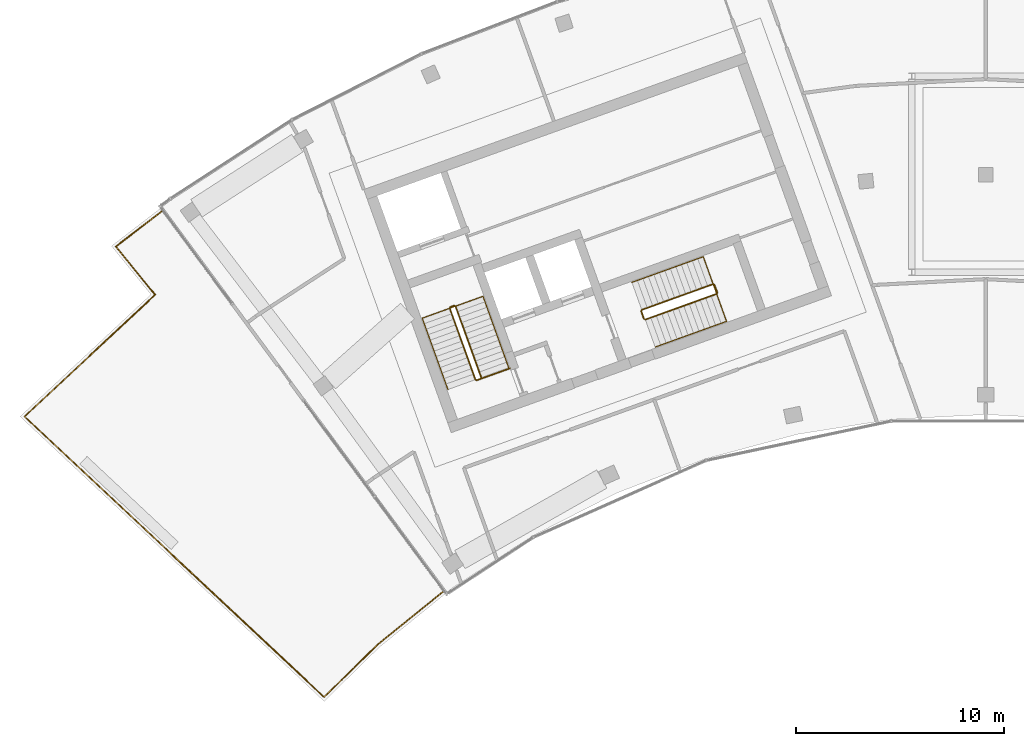
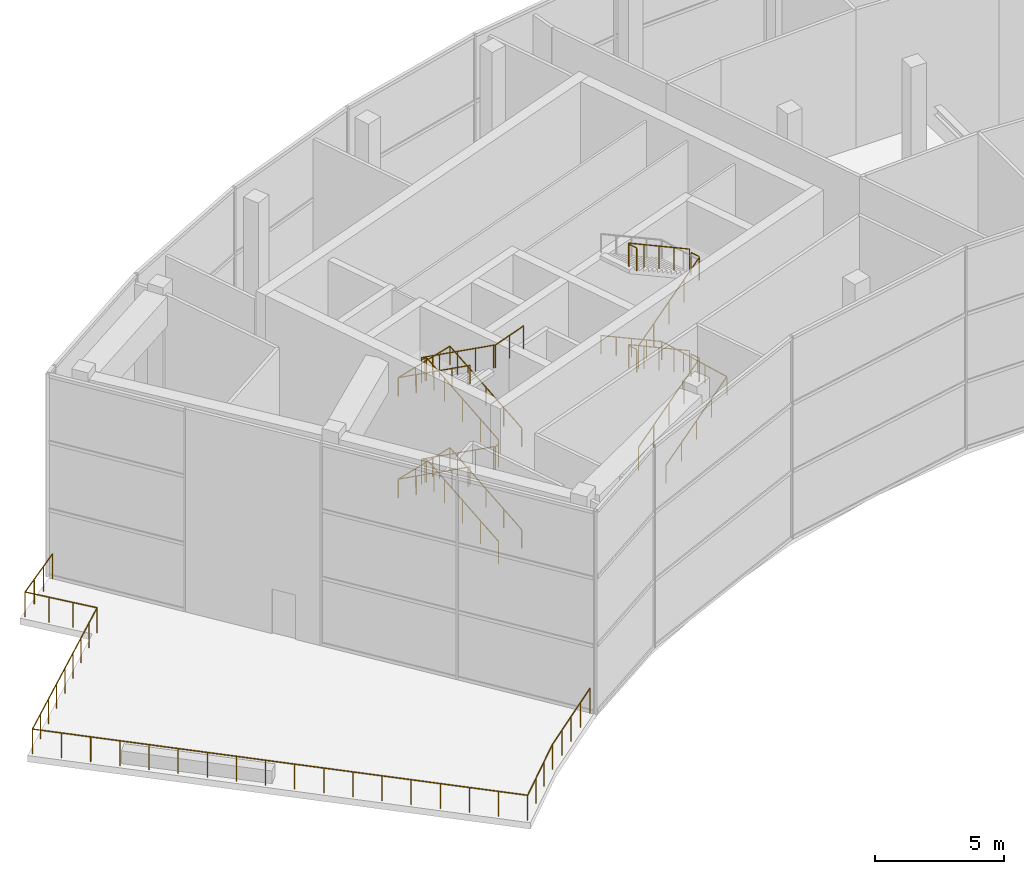
# One storey, part 18 of 20: 12 railings.
"""IFC4 building model written with IfcOpenShell, lengths in metres."""

from ifc_helpers import new_model, si_unit, direction, frame, origin, origin_2d, place, context, subcontext, project, spatial, circle, extrude, material, type_object, element, save


model = new_model("IFC4")

# Units and contexts
model_context = context("Model", 3, precision=1e-05, world=origin(), true_north=direction((0.0, 1.0)))
body_context = subcontext(model_context, "Body", "Model", "MODEL_VIEW")
ifc_project = project(units=[si_unit("LENGTHUNIT", "METRE"), si_unit("AREAUNIT", "SQUARE_METRE"), si_unit("VOLUMEUNIT", "CUBIC_METRE"), si_unit("PLANEANGLEUNIT", "RADIAN"), si_unit("MASSUNIT", "GRAM", prefix="KILO")], contexts=[model_context])

# Site, building, storey
site_placement = place(None, origin())
site = spatial("IfcSite", under=ifc_project, at=site_placement, CompositionType="ELEMENT")
building_placement = place(site_placement, origin())
building = spatial("IfcBuilding", under=site, at=building_placement, Name="Stone Belt Terrace Tower", CompositionType="ELEMENT")
storey_placement = place(building_placement, frame((0.0, 0.0, 323.0)))
storey = spatial("IfcBuildingStorey", under=building, at=storey_placement, Name="L78", CompositionType="ELEMENT", Elevation=323.0)

# Railings
ifc_material_1 = material(Name="Structural steel C345", Category="steel")
railing_type_1 = type_object("IfcRailingType", Name="Stair guard 1100", PredefinedType="GUARDRAIL", material=ifc_material_1)
railing_1_placement = place(storey_placement, frame((-24.2119140625, 45.276123046875, 0.17138671875)))
element("IfcRailing", 1, at=railing_1_placement, inside=storey, type_object=railing_type_1, Name="L78 ST1A stair guard 1", PredefinedType="GUARDRAIL", context=body_context, shape_type="SweptSolid", body=[
    extrude(circle(Radius=0.02392578125, at=origin_2d()), frame((0.0, 0.0, 1.076171875), z_axis=(-0.288822101159, 0.802455225799, 0.522156494233), x_axis=(-0.940910495972, -0.338655338905, 0.0)), (0.0, 0.0, 1.0), 4.267822265625),
    extrude(circle(Radius=0.02392578125, at=origin_2d()), frame((-1.232666015625, 3.4248046875, 3.3046875), z_axis=(-0.903878284585, 0.427789722475, 0.0), x_axis=(-0.427789722475, -0.903878284585, 0.0)), (0.0, 0.0, 1.0), 0.07080078125),
    extrude(circle(Radius=0.02392578125, at=origin_2d()), frame((-1.296630859375, 3.455078125, 3.3046875), z_axis=(-0.940716197853, -0.339194686126, 0.0), x_axis=(0.339194686126, -0.940716197853, 0.0)), (0.0, 0.0, 1.0), 0.2001953125),
    extrude(circle(Radius=0.02099609375, at=origin_2d()), origin(), (0.0, 0.0, 1.0), 1.052001953125),
    extrude(circle(Radius=0.02099609375, at=origin_2d()), frame((-0.30810546875, 0.856201171875, 0.55712890625)), (0.0, 0.0, 1.0), 1.052001953125),
    extrude(circle(Radius=0.02099609375, at=origin_2d()), frame((-0.6162109375, 1.71240234375, 1.1142578125)), (0.0, 0.0, 1.0), 1.052001953125),
    extrude(circle(Radius=0.02099609375, at=origin_2d()), frame((-0.924560546875, 2.568603515625, 1.67138671875)), (0.0, 0.0, 1.0), 1.052001953125),
    extrude(circle(Radius=0.02099609375, at=origin_2d()), frame((-1.232666015625, 3.4248046875, 2.228515625)), (0.0, 0.0, 1.0), 1.052001953125),
    extrude(circle(Radius=0.02099609375, at=origin_2d()), frame((-1.296630859375, 3.455078125, 2.228515625)), (0.0, 0.0, 1.0), 1.052001953125),
    extrude(circle(Radius=0.02099609375, at=origin_2d()), frame((-1.48486328125, 3.38720703125, 2.228515625)), (0.0, 0.0, 1.0), 1.052001953125),
])
railing_2_placement = place(storey_placement, frame((-25.726806640625, 48.599365234375, 2.571533203125)))
element("IfcRailing", 2, at=railing_2_placement, inside=storey, type_object=railing_type_1, Name="L78 ST1A stair guard 2", PredefinedType="GUARDRAIL", context=body_context, shape_type="SweptSolid", body=[
    extrude(circle(Radius=0.02392578125, at=origin_2d()), frame((0.0, 0.0, 1.076171875), z_axis=(0.288822101159, -0.802455225799, 0.522156494233), x_axis=(0.940910495972, 0.338655338905, 0.0)), (0.0, 0.0, 1.0), 4.267822265625),
    extrude(circle(Radius=0.02392578125, at=origin_2d()), frame((1.232666015625, -3.4248046875, 3.3046875), z_axis=(0.903878284585, -0.427789722475, 0.0), x_axis=(0.427789722475, 0.903878284585, 0.0)), (0.0, 0.0, 1.0), 0.07080078125),
    extrude(circle(Radius=0.02392578125, at=origin_2d()), frame((1.296630859375, -3.455078125, 3.3046875), z_axis=(0.940575576748, 0.339584429008, 0.0), x_axis=(-0.339584429008, 0.940575576748, 0.0)), (0.0, 0.0, 1.0), 0.199951171875),
    extrude(circle(Radius=0.02099609375, at=origin_2d()), origin(), (0.0, 0.0, 1.0), 1.052001953125),
    extrude(circle(Radius=0.02099609375, at=origin_2d()), frame((0.30810546875, -0.856201171875, 0.55712890625)), (0.0, 0.0, 1.0), 1.052001953125),
    extrude(circle(Radius=0.02099609375, at=origin_2d()), frame((0.6162109375, -1.71240234375, 1.1142578125)), (0.0, 0.0, 1.0), 1.052001953125),
    extrude(circle(Radius=0.02099609375, at=origin_2d()), frame((0.924560546875, -2.568603515625, 1.67138671875)), (0.0, 0.0, 1.0), 1.052001953125),
    extrude(circle(Radius=0.02099609375, at=origin_2d()), frame((1.232666015625, -3.4248046875, 2.228515625)), (0.0, 0.0, 1.0), 1.052001953125),
    extrude(circle(Radius=0.02099609375, at=origin_2d()), frame((1.296630859375, -3.455078125, 2.228515625)), (0.0, 0.0, 1.0), 1.052001953125),
    extrude(circle(Radius=0.02099609375, at=origin_2d()), frame((1.484619140625, -3.38720703125, 2.228515625)), (0.0, 0.0, 1.0), 1.052001953125),
])
railing_3_placement = place(storey_placement, frame((-24.2119140625, 45.276123046875, 4.971435546875)))
element("IfcRailing", 3, at=railing_3_placement, inside=storey, type_object=railing_type_1, Name="L78 ST1A stair guard 3", PredefinedType="GUARDRAIL", context=body_context, shape_type="SweptSolid", body=[
    extrude(circle(Radius=0.02392578125, at=origin_2d()), frame((0.0, 0.0, 1.076171875), z_axis=(-0.288822101159, 0.802455225799, 0.522156494233), x_axis=(-0.940910495972, -0.338655338905, 0.0)), (0.0, 0.0, 1.0), 4.267822265625),
    extrude(circle(Radius=0.02392578125, at=origin_2d()), frame((-1.232666015625, 3.4248046875, 3.3046875), z_axis=(-0.903878284585, 0.427789722475, 0.0), x_axis=(-0.427789722475, -0.903878284585, 0.0)), (0.0, 0.0, 1.0), 0.07080078125),
    extrude(circle(Radius=0.02392578125, at=origin_2d()), frame((-1.296630859375, 3.455078125, 3.3046875), z_axis=(-0.940716197853, -0.339194686126, 0.0), x_axis=(0.339194686126, -0.940716197853, 0.0)), (0.0, 0.0, 1.0), 0.2001953125),
    extrude(circle(Radius=0.02099609375, at=origin_2d()), origin(), (0.0, 0.0, 1.0), 1.052001953125),
    extrude(circle(Radius=0.02099609375, at=origin_2d()), frame((-0.30810546875, 0.856201171875, 0.55712890625)), (0.0, 0.0, 1.0), 1.052001953125),
    extrude(circle(Radius=0.02099609375, at=origin_2d()), frame((-0.6162109375, 1.71240234375, 1.1142578125)), (0.0, 0.0, 1.0), 1.052001953125),
    extrude(circle(Radius=0.02099609375, at=origin_2d()), frame((-0.924560546875, 2.568603515625, 1.67138671875)), (0.0, 0.0, 1.0), 1.052001953125),
    extrude(circle(Radius=0.02099609375, at=origin_2d()), frame((-1.232666015625, 3.4248046875, 2.228515625)), (0.0, 0.0, 1.0), 1.052001953125),
    extrude(circle(Radius=0.02099609375, at=origin_2d()), frame((-1.296630859375, 3.455078125, 2.228515625)), (0.0, 0.0, 1.0), 1.052001953125),
    extrude(circle(Radius=0.02099609375, at=origin_2d()), frame((-1.48486328125, 3.38720703125, 2.228515625)), (0.0, 0.0, 1.0), 1.052001953125),
])
railing_4_placement = place(storey_placement, frame((-25.726806640625, 48.599365234375, 7.371337890625)))
element("IfcRailing", 4, at=railing_4_placement, inside=storey, type_object=railing_type_1, Name="L78 ST1A stair guard 4", PredefinedType="GUARDRAIL", context=body_context, shape_type="SweptSolid", body=[
    extrude(circle(Radius=0.02392578125, at=origin_2d()), frame((0.0, 0.0, 1.076171875), z_axis=(0.288813474145, -0.802431256746, 0.522198099718), x_axis=(0.940910495972, 0.338655338905, 0.0)), (0.0, 0.0, 1.0), 4.26806640625),
    extrude(circle(Radius=0.02392578125, at=origin_2d()), frame((1.232666015625, -3.4248046875, 3.3046875), z_axis=(0.903878284585, -0.427789722475, 0.0), x_axis=(0.427789722475, 0.903878284585, 0.0)), (0.0, 0.0, 1.0), 0.07080078125),
    extrude(circle(Radius=0.02392578125, at=origin_2d()), frame((1.296630859375, -3.455078125, 3.3046875), z_axis=(0.940903889267, 0.338673694229, 0.0), x_axis=(-0.338673694229, 0.940903889267, 0.0)), (0.0, 0.0, 1.0), 1.69970703125),
    extrude(circle(Radius=0.02099609375, at=origin_2d()), origin(), (0.0, 0.0, 1.0), 1.052001953125),
    extrude(circle(Radius=0.02099609375, at=origin_2d()), frame((0.30810546875, -0.856201171875, 0.55712890625)), (0.0, 0.0, 1.0), 1.052001953125),
    extrude(circle(Radius=0.02099609375, at=origin_2d()), frame((0.6162109375, -1.71240234375, 1.1142578125)), (0.0, 0.0, 1.0), 1.052001953125),
    extrude(circle(Radius=0.02099609375, at=origin_2d()), frame((0.924560546875, -2.568603515625, 1.671630859375)), (0.0, 0.0, 1.0), 1.052001953125),
    extrude(circle(Radius=0.02099609375, at=origin_2d()), frame((1.232666015625, -3.4248046875, 2.228759765625)), (0.0, 0.0, 1.0), 1.052001953125),
    extrude(circle(Radius=0.02099609375, at=origin_2d()), frame((1.296630859375, -3.455078125, 2.228759765625)), (0.0, 0.0, 1.0), 1.052001953125),
    extrude(circle(Radius=0.02099609375, at=origin_2d()), frame((2.09619140625, -3.167236328125, 2.228759765625)), (0.0, 0.0, 1.0), 1.052001953125),
    extrude(circle(Radius=0.02099609375, at=origin_2d()), frame((2.89599609375, -2.87939453125, 2.228759765625)), (0.0, 0.0, 1.0), 1.052001953125),
])
railing_5_placement = place(storey_placement, frame((-16.33837890625, 48.056640625, 0.17138671875)))
element("IfcRailing", 5, at=railing_5_placement, inside=storey, type_object=railing_type_1, Name="L78 ST2A stair guard 1", PredefinedType="GUARDRAIL", context=body_context, shape_type="SweptSolid", body=[
    extrude(circle(Radius=0.02392578125, at=origin_2d()), frame((0.0, 0.0, 1.076171875), z_axis=(0.802488848793, 0.288756412339, 0.522141151314), x_axis=(-0.338574587021, 0.94093955652, 0.0)), (0.0, 0.0, 1.0), 4.26806640625),
    extrude(circle(Radius=0.02392578125, at=origin_2d()), frame((3.425048828125, 1.232421875, 3.3046875), z_axis=(0.424964916, 0.905209821074, 0.0), x_axis=(-0.905209821074, 0.424964916, 0.0)), (0.0, 0.0, 1.0), 0.070556640625),
    extrude(circle(Radius=0.02392578125, at=origin_2d()), frame((3.455078125, 1.29638671875, 3.3046875), z_axis=(-0.338654645739, 0.940910745459, 0.0), x_axis=(-0.940910745459, -0.338654645739, 0.0)), (0.0, 0.0, 1.0), 0.400146484375),
    extrude(circle(Radius=0.02099609375, at=origin_2d()), origin(), (0.0, 0.0, 1.0), 1.052001953125),
    extrude(circle(Radius=0.02099609375, at=origin_2d()), frame((0.856201171875, 0.30810546875, 0.55712890625)), (0.0, 0.0, 1.0), 1.052001953125),
    extrude(circle(Radius=0.02099609375, at=origin_2d()), frame((1.71240234375, 0.6162109375, 1.1142578125)), (0.0, 0.0, 1.0), 1.052001953125),
    extrude(circle(Radius=0.02099609375, at=origin_2d()), frame((2.56884765625, 0.92431640625, 1.67138671875)), (0.0, 0.0, 1.0), 1.052001953125),
    extrude(circle(Radius=0.02099609375, at=origin_2d()), frame((3.425048828125, 1.232421875, 2.228515625)), (0.0, 0.0, 1.0), 1.052001953125),
    extrude(circle(Radius=0.02099609375, at=origin_2d()), frame((3.455078125, 1.29638671875, 2.228515625)), (0.0, 0.0, 1.0), 1.052001953125),
    extrude(circle(Radius=0.02099609375, at=origin_2d()), frame((3.319580078125, 1.6728515625, 2.228515625)), (0.0, 0.0, 1.0), 1.052001953125),
])
railing_6_placement = place(storey_placement, frame((-13.082763671875, 49.759521484375, 2.571533203125)))
element("IfcRailing", 6, at=railing_6_placement, inside=storey, type_object=railing_type_1, Name="L78 ST2A stair guard 2", PredefinedType="GUARDRAIL", context=body_context, shape_type="SweptSolid", body=[
    extrude(circle(Radius=0.02392578125, at=origin_2d()), frame((0.0, 0.0, 1.076171875), z_axis=(-0.802468482762, -0.288769667877, 0.52216512052), x_axis=(0.338595955653, -0.940931867255, 0.0)), (0.0, 0.0, 1.0), 4.267822265625),
    extrude(circle(Radius=0.02392578125, at=origin_2d()), frame((-3.4248046875, -1.232421875, 3.3046875), z_axis=(-0.427789722475, -0.903878284585, 0.0), x_axis=(0.903878284585, -0.427789722475, 0.0)), (0.0, 0.0, 1.0), 0.07080078125),
    extrude(circle(Radius=0.02392578125, at=origin_2d()), frame((-3.455078125, -1.29638671875, 3.3046875), z_axis=(0.338654645739, -0.940910745459, 0.0), x_axis=(0.940910745459, 0.338654645739, 0.0)), (0.0, 0.0, 1.0), 0.400146484375),
    extrude(circle(Radius=0.02099609375, at=origin_2d()), origin(), (0.0, 0.0, 1.0), 1.052001953125),
    extrude(circle(Radius=0.02099609375, at=origin_2d()), frame((-0.856201171875, -0.30810546875, 0.55712890625)), (0.0, 0.0, 1.0), 1.052001953125),
    extrude(circle(Radius=0.02099609375, at=origin_2d()), frame((-1.71240234375, -0.6162109375, 1.1142578125)), (0.0, 0.0, 1.0), 1.052001953125),
    extrude(circle(Radius=0.02099609375, at=origin_2d()), frame((-2.568603515625, -0.92431640625, 1.67138671875)), (0.0, 0.0, 1.0), 1.052001953125),
    extrude(circle(Radius=0.02099609375, at=origin_2d()), frame((-3.4248046875, -1.232421875, 2.228515625)), (0.0, 0.0, 1.0), 1.052001953125),
    extrude(circle(Radius=0.02099609375, at=origin_2d()), frame((-3.455078125, -1.29638671875, 2.228515625)), (0.0, 0.0, 1.0), 1.052001953125),
    extrude(circle(Radius=0.02099609375, at=origin_2d()), frame((-3.319580078125, -1.6728515625, 2.228515625)), (0.0, 0.0, 1.0), 1.052001953125),
])
railing_7_placement = place(storey_placement, frame((-16.33837890625, 48.056640625, 4.971435546875)))
element("IfcRailing", 7, at=railing_7_placement, inside=storey, type_object=railing_type_1, Name="L78 ST2A stair guard 3", PredefinedType="GUARDRAIL", context=body_context, shape_type="SweptSolid", body=[
    extrude(circle(Radius=0.02392578125, at=origin_2d()), frame((0.0, 0.0, 1.076171875), z_axis=(0.802488848793, 0.288756412339, 0.522141151314), x_axis=(-0.338574587021, 0.94093955652, 0.0)), (0.0, 0.0, 1.0), 4.26806640625),
    extrude(circle(Radius=0.02392578125, at=origin_2d()), frame((3.425048828125, 1.232421875, 3.3046875), z_axis=(0.424964916, 0.905209821074, 0.0), x_axis=(-0.905209821074, 0.424964916, 0.0)), (0.0, 0.0, 1.0), 0.070556640625),
    extrude(circle(Radius=0.02392578125, at=origin_2d()), frame((3.455078125, 1.29638671875, 3.3046875), z_axis=(-0.338654645739, 0.940910745459, 0.0), x_axis=(-0.940910745459, -0.338654645739, 0.0)), (0.0, 0.0, 1.0), 0.400146484375),
    extrude(circle(Radius=0.02099609375, at=origin_2d()), origin(), (0.0, 0.0, 1.0), 1.052001953125),
    extrude(circle(Radius=0.02099609375, at=origin_2d()), frame((0.856201171875, 0.30810546875, 0.55712890625)), (0.0, 0.0, 1.0), 1.052001953125),
    extrude(circle(Radius=0.02099609375, at=origin_2d()), frame((1.71240234375, 0.6162109375, 1.1142578125)), (0.0, 0.0, 1.0), 1.052001953125),
    extrude(circle(Radius=0.02099609375, at=origin_2d()), frame((2.56884765625, 0.92431640625, 1.67138671875)), (0.0, 0.0, 1.0), 1.052001953125),
    extrude(circle(Radius=0.02099609375, at=origin_2d()), frame((3.425048828125, 1.232421875, 2.228515625)), (0.0, 0.0, 1.0), 1.052001953125),
    extrude(circle(Radius=0.02099609375, at=origin_2d()), frame((3.455078125, 1.29638671875, 2.228515625)), (0.0, 0.0, 1.0), 1.052001953125),
    extrude(circle(Radius=0.02099609375, at=origin_2d()), frame((3.319580078125, 1.6728515625, 2.228515625)), (0.0, 0.0, 1.0), 1.052001953125),
])
railing_8_placement = place(storey_placement, frame((-13.082763671875, 49.759521484375, 7.371337890625)))
element("IfcRailing", 8, at=railing_8_placement, inside=storey, type_object=railing_type_1, Name="L78 ST2A stair guard 4", PredefinedType="GUARDRAIL", context=body_context, shape_type="SweptSolid", body=[
    extrude(circle(Radius=0.02392578125, at=origin_2d()), frame((0.0, 0.0, 1.076171875), z_axis=(-0.802444512521, -0.288761042145, 0.522206726177), x_axis=(0.338595955653, -0.940931867255, 0.0)), (0.0, 0.0, 1.0), 4.26806640625),
    extrude(circle(Radius=0.02392578125, at=origin_2d()), frame((-3.4248046875, -1.232421875, 3.3046875), z_axis=(-0.427789722475, -0.903878284585, 0.0), x_axis=(0.903878284585, -0.427789722475, 0.0)), (0.0, 0.0, 1.0), 0.07080078125),
    extrude(circle(Radius=0.02392578125, at=origin_2d()), frame((-3.455078125, -1.29638671875, 3.3046875), z_axis=(0.338654645739, -0.940910745459, 0.0), x_axis=(0.940910745459, 0.338654645739, 0.0)), (0.0, 0.0, 1.0), 0.400146484375),
    extrude(circle(Radius=0.02099609375, at=origin_2d()), origin(), (0.0, 0.0, 1.0), 1.052001953125),
    extrude(circle(Radius=0.02099609375, at=origin_2d()), frame((-0.856201171875, -0.30810546875, 0.55712890625)), (0.0, 0.0, 1.0), 1.052001953125),
    extrude(circle(Radius=0.02099609375, at=origin_2d()), frame((-1.71240234375, -0.6162109375, 1.1142578125)), (0.0, 0.0, 1.0), 1.052001953125),
    extrude(circle(Radius=0.02099609375, at=origin_2d()), frame((-2.568603515625, -0.92431640625, 1.671630859375)), (0.0, 0.0, 1.0), 1.052001953125),
    extrude(circle(Radius=0.02099609375, at=origin_2d()), frame((-3.4248046875, -1.232421875, 2.228759765625)), (0.0, 0.0, 1.0), 1.052001953125),
    extrude(circle(Radius=0.02099609375, at=origin_2d()), frame((-3.455078125, -1.29638671875, 2.228759765625)), (0.0, 0.0, 1.0), 1.052001953125),
    extrude(circle(Radius=0.02099609375, at=origin_2d()), frame((-3.319580078125, -1.6728515625, 2.228759765625)), (0.0, 0.0, 1.0), 1.052001953125),
])
railing_type_2 = type_object("IfcRailingType", Name="Stair handrail 900", PredefinedType="HANDRAIL", material=ifc_material_1)
railing_9_placement = place(storey_placement, frame((-22.894775390625, 45.750244140625, 0.17138671875)))
element("IfcRailing", 9, at=railing_9_placement, inside=storey, type_object=railing_type_2, Name="L78 ST1A stair handrail 1", PredefinedType="HANDRAIL", context=body_context, shape_type="SweptSolid", body=[
    extrude(circle(Radius=0.02392578125, at=origin_2d()), frame((0.0, 0.0, 0.8759765625), z_axis=(-0.288769667877, 0.802468482762, 0.52216512052), x_axis=(-0.940931867255, -0.338595955653, 0.0)), (0.0, 0.0, 1.0), 4.267822265625),
    extrude(circle(Radius=0.02392578125, at=origin_2d()), frame((-1.232421875, 3.4248046875, 3.1044921875), z_axis=(-0.939480897333, -0.338112475605, 0.055277458221), x_axis=(0.338630230244, -0.940919532779, 0.0)), (0.0, 0.0, 1.0), 3.10498046875),
    extrude(circle(Radius=0.02392578125, at=origin_2d()), frame((-4.1494140625, 2.375, 3.27587890625), z_axis=(0.288822101159, -0.802455225799, 0.522156494233), x_axis=(0.940910495972, 0.338655338905, 0.0)), (0.0, 0.0, 1.0), 4.267822265625),
    extrude(circle(Radius=0.02099609375, at=origin_2d()), origin(), (0.0, 0.0, 1.0), 0.851806640625),
    extrude(circle(Radius=0.02099609375, at=origin_2d()), frame((-0.30810546875, 0.856201171875, 0.55712890625)), (0.0, 0.0, 1.0), 0.851806640625),
    extrude(circle(Radius=0.02099609375, at=origin_2d()), frame((-0.6162109375, 1.71240234375, 1.1142578125)), (0.0, 0.0, 1.0), 0.851806640625),
    extrude(circle(Radius=0.02099609375, at=origin_2d()), frame((-0.92431640625, 2.568603515625, 1.67138671875)), (0.0, 0.0, 1.0), 0.851806640625),
    extrude(circle(Radius=0.02099609375, at=origin_2d()), frame((-1.232421875, 3.4248046875, 2.228515625)), (0.0, 0.0, 1.0), 0.851806640625),
    extrude(circle(Radius=0.02099609375, at=origin_2d()), frame((-2.204833984375, 3.074951171875, 2.28564453125)), (0.0, 0.0, 1.0), 0.851806640625),
    extrude(circle(Radius=0.02099609375, at=origin_2d()), frame((-3.177001953125, 2.724853515625, 2.343017578125)), (0.0, 0.0, 1.0), 0.851806640625),
    extrude(circle(Radius=0.02099609375, at=origin_2d()), frame((-4.1494140625, 2.375, 2.400146484375)), (0.0, 0.0, 1.0), 0.851806640625),
    extrude(circle(Radius=0.02099609375, at=origin_2d()), frame((-3.84130859375, 1.518798828125, 2.957275390625)), (0.0, 0.0, 1.0), 0.851806640625),
    extrude(circle(Radius=0.02099609375, at=origin_2d()), frame((-3.533203125, 0.66259765625, 3.514404296875)), (0.0, 0.0, 1.0), 0.851806640625),
    extrude(circle(Radius=0.02099609375, at=origin_2d()), frame((-3.224853515625, -0.193603515625, 4.071533203125)), (0.0, 0.0, 1.0), 0.851806640625),
    extrude(circle(Radius=0.02099609375, at=origin_2d()), frame((-2.916748046875, -1.0498046875, 4.628662109375)), (0.0, 0.0, 1.0), 0.851806640625),
])
railing_10_placement = place(storey_placement, frame((-22.894775390625, 45.750244140625, 4.971435546875)))
element("IfcRailing", 10, at=railing_10_placement, inside=storey, type_object=railing_type_2, Name="L78 ST1A stair handrail 2", PredefinedType="HANDRAIL", context=body_context, shape_type="SweptSolid", body=[
    extrude(circle(Radius=0.02392578125, at=origin_2d()), frame((0.0, 0.0, 0.8759765625), z_axis=(-0.288769667877, 0.802468482762, 0.52216512052), x_axis=(-0.940931867255, -0.338595955653, 0.0)), (0.0, 0.0, 1.0), 4.267822265625),
    extrude(circle(Radius=0.02392578125, at=origin_2d()), frame((-1.232421875, 3.4248046875, 3.1044921875), z_axis=(-0.939484977919, -0.338113944179, 0.055199067166), x_axis=(0.338630230244, -0.940919532779, 0.0)), (0.0, 0.0, 1.0), 3.10498046875),
    extrude(circle(Radius=0.02392578125, at=origin_2d()), frame((-4.1494140625, 2.375, 3.27587890625), z_axis=(0.288813474145, -0.802431256746, 0.522198099718), x_axis=(0.940910495972, 0.338655338905, 0.0)), (0.0, 0.0, 1.0), 4.26806640625),
    extrude(circle(Radius=0.02099609375, at=origin_2d()), origin(), (0.0, 0.0, 1.0), 0.851806640625),
    extrude(circle(Radius=0.02099609375, at=origin_2d()), frame((-0.30810546875, 0.856201171875, 0.55712890625)), (0.0, 0.0, 1.0), 0.851806640625),
    extrude(circle(Radius=0.02099609375, at=origin_2d()), frame((-0.6162109375, 1.71240234375, 1.1142578125)), (0.0, 0.0, 1.0), 0.851806640625),
    extrude(circle(Radius=0.02099609375, at=origin_2d()), frame((-0.92431640625, 2.568603515625, 1.67138671875)), (0.0, 0.0, 1.0), 0.851806640625),
    extrude(circle(Radius=0.02099609375, at=origin_2d()), frame((-1.232421875, 3.4248046875, 2.228515625)), (0.0, 0.0, 1.0), 0.851806640625),
    extrude(circle(Radius=0.02099609375, at=origin_2d()), frame((-2.204833984375, 3.074951171875, 2.28564453125)), (0.0, 0.0, 1.0), 0.851806640625),
    extrude(circle(Radius=0.02099609375, at=origin_2d()), frame((-3.177001953125, 2.724853515625, 2.3427734375)), (0.0, 0.0, 1.0), 0.851806640625),
    extrude(circle(Radius=0.02099609375, at=origin_2d()), frame((-4.1494140625, 2.375, 2.39990234375)), (0.0, 0.0, 1.0), 0.851806640625),
    extrude(circle(Radius=0.02099609375, at=origin_2d()), frame((-3.84130859375, 1.518798828125, 2.95703125)), (0.0, 0.0, 1.0), 0.851806640625),
    extrude(circle(Radius=0.02099609375, at=origin_2d()), frame((-3.533203125, 0.66259765625, 3.51416015625)), (0.0, 0.0, 1.0), 0.851806640625),
    extrude(circle(Radius=0.02099609375, at=origin_2d()), frame((-3.224853515625, -0.193603515625, 4.071533203125)), (0.0, 0.0, 1.0), 0.851806640625),
    extrude(circle(Radius=0.02099609375, at=origin_2d()), frame((-2.916748046875, -1.0498046875, 4.628662109375)), (0.0, 0.0, 1.0), 0.851806640625),
])
railing_11_placement = place(storey_placement, frame((-15.8642578125, 46.7392578125, 0.17138671875)))
element("IfcRailing", 11, at=railing_11_placement, inside=storey, type_object=railing_type_2, Name="L78 ST2A stair handrail 1", PredefinedType="HANDRAIL", context=body_context, shape_type="SweptSolid", body=[
    extrude(circle(Radius=0.02392578125, at=origin_2d()), frame((0.0, 0.0, 0.8759765625), z_axis=(0.802475592711, 0.288808843652, 0.522132526215), x_axis=(-0.338633967496, 0.94091818776, 0.0)), (0.0, 0.0, 1.0), 4.26806640625),
    extrude(circle(Radius=0.02392578125, at=origin_2d()), frame((3.425048828125, 1.232666015625, 3.1044921875), z_axis=(-0.338230891713, 0.93962876383, 0.051938907137), x_axis=(-0.940898728651, -0.338688031118, 0.0)), (0.0, 0.0, 1.0), 3.304443359375),
    extrude(circle(Radius=0.02392578125, at=origin_2d()), frame((2.307373046875, 4.337646484375, 3.27587890625), z_axis=(-0.802455225799, -0.288822101159, 0.522156494233), x_axis=(0.338655338905, -0.940910495972, 0.0)), (0.0, 0.0, 1.0), 4.267822265625),
    extrude(circle(Radius=0.02099609375, at=origin_2d()), origin(), (0.0, 0.0, 1.0), 0.851806640625),
    extrude(circle(Radius=0.02099609375, at=origin_2d()), frame((0.856201171875, 0.30810546875, 0.55712890625)), (0.0, 0.0, 1.0), 0.851806640625),
    extrude(circle(Radius=0.02099609375, at=origin_2d()), frame((1.71240234375, 0.6162109375, 1.1142578125)), (0.0, 0.0, 1.0), 0.851806640625),
    extrude(circle(Radius=0.02099609375, at=origin_2d()), frame((2.56884765625, 0.924560546875, 1.67138671875)), (0.0, 0.0, 1.0), 0.851806640625),
    extrude(circle(Radius=0.02099609375, at=origin_2d()), frame((3.425048828125, 1.232666015625, 2.228515625)), (0.0, 0.0, 1.0), 0.851806640625),
    extrude(circle(Radius=0.02099609375, at=origin_2d()), frame((3.052490234375, 2.267578125, 2.28564453125)), (0.0, 0.0, 1.0), 0.851806640625),
    extrude(circle(Radius=0.02099609375, at=origin_2d()), frame((2.679931640625, 3.302734375, 2.343017578125)), (0.0, 0.0, 1.0), 0.851806640625),
    extrude(circle(Radius=0.02099609375, at=origin_2d()), frame((2.307373046875, 4.337646484375, 2.400146484375)), (0.0, 0.0, 1.0), 0.851806640625),
    extrude(circle(Radius=0.02099609375, at=origin_2d()), frame((1.451171875, 4.029541015625, 2.957275390625)), (0.0, 0.0, 1.0), 0.851806640625),
    extrude(circle(Radius=0.02099609375, at=origin_2d()), frame((0.594970703125, 3.72119140625, 3.514404296875)), (0.0, 0.0, 1.0), 0.851806640625),
    extrude(circle(Radius=0.02099609375, at=origin_2d()), frame((-0.26123046875, 3.4130859375, 4.071533203125)), (0.0, 0.0, 1.0), 0.851806640625),
    extrude(circle(Radius=0.02099609375, at=origin_2d()), frame((-1.117431640625, 3.10498046875, 4.628662109375)), (0.0, 0.0, 1.0), 0.851806640625),
])
ifc_material_2 = material(Name="Stainless steel AISI 304", Category="steel")
railing_type_3 = type_object("IfcRailingType", Name="Terrace guard 1200", PredefinedType="GUARDRAIL", material=ifc_material_2)
railing_12_placement = place(storey_placement, frame((-39.541748046875, 53.26123046875, 0.0)))
element("IfcRailing", 12, at=railing_12_placement, inside=storey, type_object=railing_type_3, Name="GUARD L78 1.1", PredefinedType="GUARDRAIL", context=body_context, shape_type="SweptSolid", body=[
    extrude(circle(Radius=0.02490234375, at=origin_2d()), frame((0.0, 0.0, 1.1748046875), z_axis=(-0.792689200903, -0.609625976129, 0.0), x_axis=(0.609625976129, -0.792689200903, 0.0)), (0.0, 0.0, 1.0), 2.783203125),
    extrude(circle(Radius=0.02490234375, at=origin_2d()), frame((-2.206298828125, -1.69677734375, 1.1748046875), z_axis=(0.631035766134, -0.775753737896, 0.0), x_axis=(0.775753737896, 0.631035766134, 0.0)), (0.0, 0.0, 1.0), 2.986083984375),
    extrude(circle(Radius=0.02490234375, at=origin_2d()), frame((-0.322021484375, -4.01318359375, 1.1748046875), z_axis=(-0.73134140129, -0.682011550312, 0.0), x_axis=(0.682011550312, -0.73134140129, 0.0)), (0.0, 0.0, 1.0), 8.56689453125),
    extrude(circle(Radius=0.02490234375, at=origin_2d()), frame((-6.58740234375, -9.85595703125, 1.1748046875), z_axis=(0.729900463905, -0.683553445453, 0.0), x_axis=(0.683553445453, 0.729900463905, 0.0)), (0.0, 0.0, 1.0), 19.69580078125),
    extrude(circle(Radius=0.02490234375, at=origin_2d()), frame((7.78857421875, -23.319091796875, 1.1748046875), z_axis=(0.713987608971, 0.700158335118, 0.0), x_axis=(-0.700158335118, 0.713987608971, 0.0)), (0.0, 0.0, 1.0), 3.566162109375),
    extrude(circle(Radius=0.02490234375, at=origin_2d()), frame((10.334716796875, -20.822265625, 1.1748046875), z_axis=(0.777141396186, 0.629326028648, 0.0), x_axis=(-0.629326028648, 0.777141396186, 0.0)), (0.0, 0.0, 1.0), 4.06640625),
    extrude(circle(Radius=0.02001953125, at=origin_2d()), origin(), (0.0, 0.0, 1.0), 1.14990234375),
    extrude(circle(Radius=0.02001953125, at=origin_2d()), frame((-0.7353515625, -0.565673828125, 0.0)), (0.0, 0.0, 1.0), 1.14990234375),
    extrude(circle(Radius=0.02001953125, at=origin_2d()), frame((-1.470947265625, -1.131103515625, 0.0)), (0.0, 0.0, 1.0), 1.14990234375),
    extrude(circle(Radius=0.02001953125, at=origin_2d()), frame((-2.206298828125, -1.69677734375, 0.0)), (0.0, 0.0, 1.0), 1.14990234375),
    extrude(circle(Radius=0.02001953125, at=origin_2d()), frame((-1.578125, -2.468994140625, 0.0)), (0.0, 0.0, 1.0), 1.14990234375),
    extrude(circle(Radius=0.02001953125, at=origin_2d()), frame((-0.9501953125, -3.240966796875, 0.0)), (0.0, 0.0, 1.0), 1.14990234375),
    extrude(circle(Radius=0.02001953125, at=origin_2d()), frame((-0.322021484375, -4.01318359375, 0.0)), (0.0, 0.0, 1.0), 1.14990234375),
    extrude(circle(Radius=0.02001953125, at=origin_2d()), frame((-1.105224609375, -4.74365234375, 0.0)), (0.0, 0.0, 1.0), 1.14990234375),
    extrude(circle(Radius=0.02001953125, at=origin_2d()), frame((-1.888427734375, -5.473876953125, 0.0)), (0.0, 0.0, 1.0), 1.14990234375),
    extrude(circle(Radius=0.02001953125, at=origin_2d()), frame((-2.671630859375, -6.2041015625, 0.0)), (0.0, 0.0, 1.0), 1.14990234375),
    extrude(circle(Radius=0.02001953125, at=origin_2d()), frame((-3.45458984375, -6.9345703125, 0.0)), (0.0, 0.0, 1.0), 1.14990234375),
    extrude(circle(Radius=0.02001953125, at=origin_2d()), frame((-4.23779296875, -7.6650390625, 0.0)), (0.0, 0.0, 1.0), 1.14990234375),
    extrude(circle(Radius=0.02001953125, at=origin_2d()), frame((-5.02099609375, -8.395263671875, 0.0)), (0.0, 0.0, 1.0), 1.14990234375),
    extrude(circle(Radius=0.02001953125, at=origin_2d()), frame((-5.80419921875, -9.12548828125, 0.0)), (0.0, 0.0, 1.0), 1.14990234375),
    extrude(circle(Radius=0.02001953125, at=origin_2d()), frame((-6.58740234375, -9.85595703125, 0.0)), (0.0, 0.0, 1.0), 1.14990234375),
    extrude(circle(Radius=0.02001953125, at=origin_2d()), frame((-5.74169921875, -10.64794921875, 0.0)), (0.0, 0.0, 1.0), 1.14990234375),
    extrude(circle(Radius=0.02001953125, at=origin_2d()), frame((-4.89599609375, -11.43994140625, 0.0)), (0.0, 0.0, 1.0), 1.14990234375),
    extrude(circle(Radius=0.02001953125, at=origin_2d()), frame((-4.050537109375, -12.231689453125, 0.0)), (0.0, 0.0, 1.0), 1.14990234375),
    extrude(circle(Radius=0.02001953125, at=origin_2d()), frame((-3.204833984375, -13.023681640625, 0.0)), (0.0, 0.0, 1.0), 1.14990234375),
    extrude(circle(Radius=0.02001953125, at=origin_2d()), frame((-2.359130859375, -13.815673828125, 0.0)), (0.0, 0.0, 1.0), 1.14990234375),
    extrude(circle(Radius=0.02001953125, at=origin_2d()), frame((-1.513427734375, -14.607666015625, 0.0)), (0.0, 0.0, 1.0), 1.14990234375),
    extrude(circle(Radius=0.02001953125, at=origin_2d()), frame((-0.66796875, -15.399658203125, 0.0)), (0.0, 0.0, 1.0), 1.14990234375),
    extrude(circle(Radius=0.02001953125, at=origin_2d()), frame((0.177734375, -16.191650390625, 0.0)), (0.0, 0.0, 1.0), 1.14990234375),
    extrude(circle(Radius=0.02001953125, at=origin_2d()), frame((1.0234375, -16.9833984375, 0.0)), (0.0, 0.0, 1.0), 1.14990234375),
    extrude(circle(Radius=0.02001953125, at=origin_2d()), frame((1.869140625, -17.775390625, 0.0)), (0.0, 0.0, 1.0), 1.14990234375),
    extrude(circle(Radius=0.02001953125, at=origin_2d()), frame((2.714599609375, -18.5673828125, 0.0)), (0.0, 0.0, 1.0), 1.14990234375),
    extrude(circle(Radius=0.02001953125, at=origin_2d()), frame((3.560302734375, -19.359375, 0.0)), (0.0, 0.0, 1.0), 1.14990234375),
    extrude(circle(Radius=0.02001953125, at=origin_2d()), frame((4.406005859375, -20.1513671875, 0.0)), (0.0, 0.0, 1.0), 1.14990234375),
    extrude(circle(Radius=0.02001953125, at=origin_2d()), frame((5.251708984375, -20.943359375, 0.0)), (0.0, 0.0, 1.0), 1.14990234375),
    extrude(circle(Radius=0.02001953125, at=origin_2d()), frame((6.09716796875, -21.735107421875, 0.0)), (0.0, 0.0, 1.0), 1.14990234375),
    extrude(circle(Radius=0.02001953125, at=origin_2d()), frame((6.94287109375, -22.527099609375, 0.0)), (0.0, 0.0, 1.0), 1.14990234375),
    extrude(circle(Radius=0.02001953125, at=origin_2d()), frame((7.78857421875, -23.319091796875, 0.0)), (0.0, 0.0, 1.0), 1.14990234375),
    extrude(circle(Radius=0.02001953125, at=origin_2d()), frame((8.63720703125, -22.48681640625, 0.0)), (0.0, 0.0, 1.0), 1.14990234375),
    extrude(circle(Radius=0.02001953125, at=origin_2d()), frame((9.486083984375, -21.654541015625, 0.0)), (0.0, 0.0, 1.0), 1.14990234375),
    extrude(circle(Radius=0.02001953125, at=origin_2d()), frame((10.334716796875, -20.822265625, 0.0)), (0.0, 0.0, 1.0), 1.14990234375),
    extrude(circle(Radius=0.02001953125, at=origin_2d()), frame((11.124755859375, -20.1826171875, 0.0)), (0.0, 0.0, 1.0), 1.14990234375),
    extrude(circle(Radius=0.02001953125, at=origin_2d()), frame((11.914794921875, -19.542724609375, 0.0)), (0.0, 0.0, 1.0), 1.14990234375),
    extrude(circle(Radius=0.02001953125, at=origin_2d()), frame((12.704833984375, -18.90283203125, 0.0)), (0.0, 0.0, 1.0), 1.14990234375),
    extrude(circle(Radius=0.02001953125, at=origin_2d()), frame((13.494873046875, -18.26318359375, 0.0)), (0.0, 0.0, 1.0), 1.14990234375),
])

save(model, "model.ifc")
